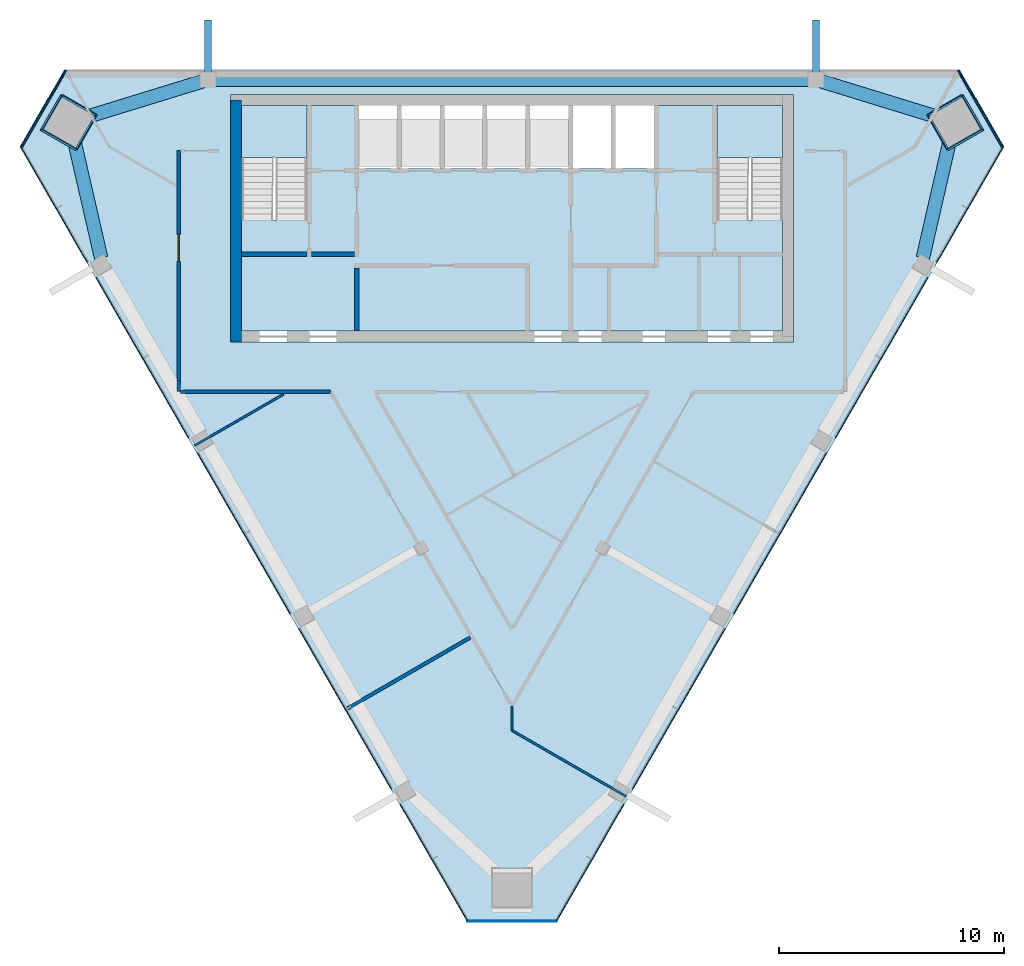
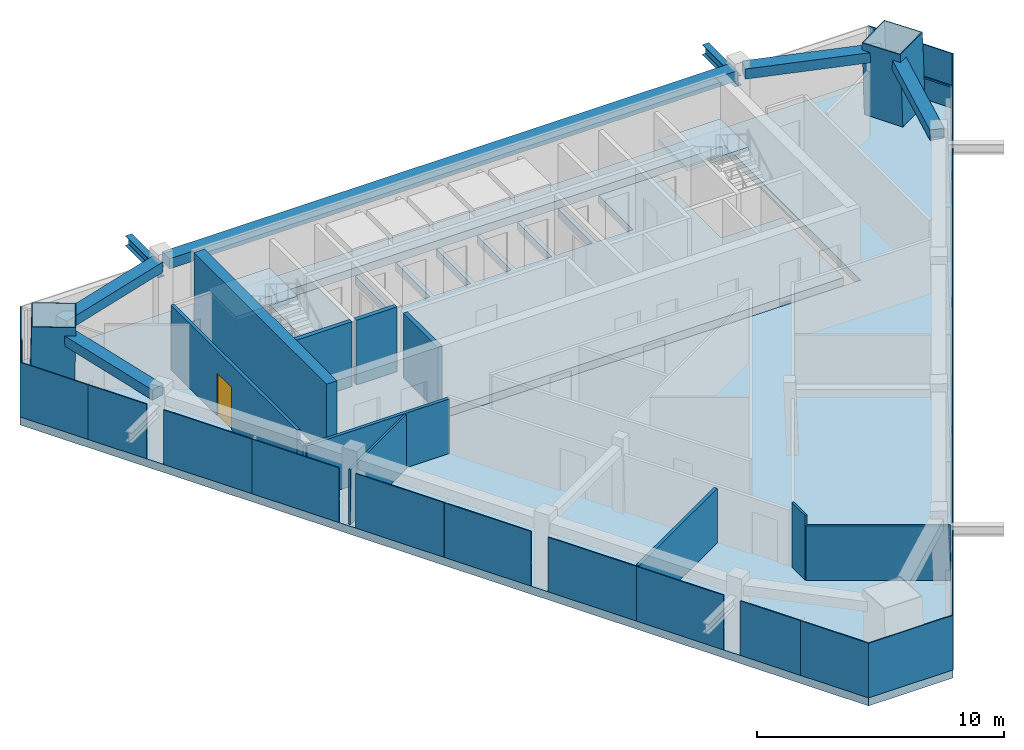
# One storey, part 5 of 9: 23 plates, 11 walls, 6 members, 5 beams, 4 slabs, 1 door, 1 opening, 7 elements without a shape of their own.
"""IFC4 building model written with IfcOpenShell, lengths in metres."""

import ifcopenshell
import ifcopenshell.guid

model = None  # the IFC model being written
_history = None  # IfcOwnerHistory: only IFC2X3 demands one
_inside = {}  # id of a spatial element -> (the spatial element, [elements in it])
_under = {}  # id of a project, library or spatial element -> (it, [spatial elements below it])
_declared = {}  # id of a project -> (the project, [libraries it declares])
_typed = {}  # id of a type object -> (the type object, [elements of that type])
_made_of = {}  # id of a material, layer set ... -> (it, [elements and type objects made of it])


def new_model(schema):
    """Start an empty IFC model of exactly this schema.

    Asked for "IFC4X3", IfcOpenShell would pick the latest addendum, in which some entities
    have other attributes; the version numbers below select the first issue.
    IFC2X3 requires an IfcOwnerHistory on every rooted entity: one is made here for all.
    """
    global model, _history
    if schema == "IFC4X3":
        model = ifcopenshell.file(schema_version=(4, 3, 0, 0))
    else:
        model = ifcopenshell.file(schema=schema)
    _inside.clear()
    _under.clear()
    _declared.clear()
    _typed.clear()
    _made_of.clear()
    _history = None
    if model.schema == "IFC2X3":
        org = make("IfcOrganization", Name="unknown")
        user = make(
            "IfcPersonAndOrganization",
            ThePerson=make("IfcPerson", FamilyName="unknown"),
            TheOrganization=org,
        )
        app = make(
            "IfcApplication",
            ApplicationDeveloper=org,
            Version="unknown",
            ApplicationFullName="unknown",
            ApplicationIdentifier="unknown",
        )
        _history = make(
            "IfcOwnerHistory",
            OwningUser=user,
            OwningApplication=app,
            ChangeAction="ADDED",
            CreationDate=0,
        )
    return model


def make(cls, **values):
    """One entity of the class cls with the attributes given. An attribute that is None is left unset."""
    return model.create_entity(
        cls, **{name: value for name, value in values.items() if value is not None}
    )


def rooted(cls, **values):
    """An entity with a GlobalId (a new one), such as an element, a storey or a relation."""
    return make(cls, GlobalId=ifcopenshell.guid.new(), OwnerHistory=_history, **values)


def si_unit(unit_type, name, prefix=None):
    """IfcSIUnit, for example si_unit("LENGTHUNIT", "METRE", prefix="MILLI")."""
    return make("IfcSIUnit", UnitType=unit_type, Prefix=prefix, Name=name)


def assignment(units):
    """IfcUnitAssignment: the units of a project."""
    return None if units is None else make("IfcUnitAssignment", Units=units)


def point(xyz):
    """IfcCartesianPoint."""
    return None if xyz is None else make("IfcCartesianPoint", Coordinates=xyz)


def direction(xyz):
    """IfcDirection."""
    return None if xyz is None else make("IfcDirection", DirectionRatios=xyz)


def frame(location, z_axis=None, x_axis=None):
    """IfcAxis2Placement3D, a coordinate frame: its origin and axes. An axis left out is left unset."""
    return make(
        "IfcAxis2Placement3D",
        Location=point(location),
        Axis=direction(z_axis),
        RefDirection=direction(x_axis),
    )


def frame_2d(location, x_axis=None):
    """IfcAxis2Placement2D, a coordinate frame in the plane: its origin and x axis."""
    return make(
        "IfcAxis2Placement2D", Location=point(location), RefDirection=direction(x_axis)
    )


def origin():
    """The frame at (0, 0, 0) with its axes left unset."""
    return frame((0.0, 0.0, 0.0))


def origin_2d():
    """The frame at (0, 0) in the plane with its x axis left unset."""
    return frame_2d((0.0, 0.0))


def place(relative_to, where):
    """IfcLocalPlacement: puts the frame where relative to a parent placement (None: the world)."""
    return make(
        "IfcLocalPlacement", PlacementRelTo=relative_to, RelativePlacement=where
    )


def context(
    kind, dimensions, precision=None, world=None, true_north=None, identifier=None
):
    """IfcGeometricRepresentationContext, for example the 3D "Model" context."""
    return make(
        "IfcGeometricRepresentationContext",
        ContextIdentifier=identifier,
        ContextType=kind,
        CoordinateSpaceDimension=dimensions,
        Precision=precision,
        WorldCoordinateSystem=world,
        TrueNorth=true_north,
    )


def subcontext(parent, identifier, kind, view, scale=None):
    """IfcGeometricRepresentationSubContext, for example "Body" below "Model"."""
    return make(
        "IfcGeometricRepresentationSubContext",
        ContextIdentifier=identifier,
        ContextType=kind,
        ParentContext=parent,
        TargetScale=scale,
        TargetView=view,
    )


def project(units=None, contexts=None):
    """IfcProject with its units and contexts."""
    return rooted(
        "IfcProject",
        Name="project",
        RepresentationContexts=contexts,
        UnitsInContext=assignment(units),
    )


def spatial(cls, under=None, at=None, **own):
    """A site, building, storey or space (cls), placed at a placement, below another one or the project."""
    s = rooted(cls, ObjectPlacement=at, **own)
    if under is not None:
        _under.setdefault(under.id(), (under, []))[1].append(s)
    return s


def polyline(points):
    """IfcPolyline through the points."""
    return make("IfcPolyline", Points=[point(p) for p in points])


def profile(cls, at=None, kind="AREA", **sizes):
    """A parametric profile (cls). Its sizes go by their IFC names, for example OverallWidth=200.0."""
    return make(cls, ProfileType=kind, Position=at, **sizes)


def rectangle(**sizes):
    """IfcRectangleProfileDef."""
    return profile("IfcRectangleProfileDef", **sizes)


def hollow_rectangle(**sizes):
    """IfcRectangleHollowProfileDef."""
    return profile("IfcRectangleHollowProfileDef", **sizes)


def i_section(**sizes):
    """IfcIShapeProfileDef."""
    return profile("IfcIShapeProfileDef", **sizes)


def outline(outer, holes=None, kind="AREA"):
    """IfcArbitraryClosedProfileDef: a profile drawn as a closed curve; with holes, ...WithVoids."""
    if holes is None:
        return make("IfcArbitraryClosedProfileDef", ProfileType=kind, OuterCurve=outer)
    return make(
        "IfcArbitraryProfileDefWithVoids",
        ProfileType=kind,
        OuterCurve=outer,
        InnerCurves=holes,
    )


def extrude(swept, where, along, depth):
    """IfcExtrudedAreaSolid: the profile swept, set in the frame where, extruded along a direction by depth."""
    return make(
        "IfcExtrudedAreaSolid",
        SweptArea=swept,
        Position=where,
        ExtrudedDirection=direction(along),
        Depth=depth,
    )


def shape(context_of_items, identifier, shape_type, items):
    """IfcShapeRepresentation: the items that make up one representation, for example the "Body"."""
    return make(
        "IfcShapeRepresentation",
        ContextOfItems=context_of_items,
        RepresentationIdentifier=identifier,
        RepresentationType=shape_type,
        Items=items,
    )


def material(Name=None, Category=None):
    """IfcMaterial."""
    return make("IfcMaterial", Name=Name, Category=Category)


def layer(
    of_material, thickness, ventilated=None, Name=None, Category=None, Priority=None
):
    """IfcMaterialLayer: one layer of a wall or slab, of a material (None: an air gap)."""
    return make(
        "IfcMaterialLayer",
        Material=of_material,
        LayerThickness=thickness,
        IsVentilated=ventilated,
        Name=Name,
        Category=Category,
        Priority=Priority,
    )


def layer_set(layers, Name=None):
    """IfcMaterialLayerSet."""
    return make("IfcMaterialLayerSet", MaterialLayers=layers, LayerSetName=Name)


def material_profile(
    of_material, cross_section, Name=None, Category=None, Priority=None
):
    """IfcMaterialProfile: a cross section and its material."""
    return make(
        "IfcMaterialProfile",
        Name=Name,
        Material=of_material,
        Profile=cross_section,
        Priority=Priority,
        Category=Category,
    )


def profile_set(profiles, Name=None, composite=None):
    """IfcMaterialProfileSet."""
    return make(
        "IfcMaterialProfileSet",
        Name=Name,
        MaterialProfiles=profiles,
        CompositeProfile=composite,
    )


def made_of(thing, what):
    """Note that an element or type object is made of a material, layer set ...; save() writes the relation."""
    if what is not None:
        _made_of.setdefault(what.id(), (what, []))[1].append(thing)
    return thing


def type_object(cls, material=None, **own):
    """A type object (cls), such as IfcWallType, which elements share."""
    return made_of(rooted(cls, **own), material)


def element(
    cls,
    number,
    at=None,
    inside=None,
    cuts=None,
    type_object=None,
    material=None,
    context=None,
    identifier="Body",
    shape_type=None,
    held_by="IfcProductDefinitionShape",
    body=None,
    shapes=None,
    **own,
):
    """One element of the class cls, such as IfcWall. Its Tag is "e" and its number.

    at: its placement. inside: the storey or other place that contains it. cuts: it is an
    opening in that element (IfcRelVoidsElement). A single representation is given by context,
    identifier, shape_type and body (its items); several are given by shapes. held_by: the class
    of the entity that holds the representations. save() writes the other relations.
    """
    e = rooted(cls, Tag="e%d" % number, ObjectPlacement=at, **own)
    if body is not None:
        shapes = [shape(context, identifier, shape_type, body)]
    if shapes is not None:
        e.Representation = make(held_by, Representations=shapes)
    if inside is not None:
        _inside.setdefault(inside.id(), (inside, []))[1].append(e)
    if cuts is not None:
        rooted(
            "IfcRelVoidsElement", RelatingBuildingElement=cuts, RelatedOpeningElement=e
        )
    if type_object is not None:
        _typed.setdefault(type_object.id(), (type_object, []))[1].append(e)
    return made_of(e, material)


def fill(opening, filler):
    """IfcRelFillsElement: the door or window that sits in an opening."""
    return rooted(
        "IfcRelFillsElement",
        RelatingOpeningElement=opening,
        RelatedBuildingElement=filler,
    )


def aggregate(whole, parts):
    """IfcRelAggregates: a whole, such as a stair, and the parts it consists of."""
    return rooted("IfcRelAggregates", RelatingObject=whole, RelatedObjects=parts)


def save(model, path):
    """Write the relations noted so far, then the file.

    IfcRelAggregates (storeys below a building ...), IfcRelContainedInSpatialStructure (elements
    in a storey), IfcRelDefinesByType, IfcRelAssociatesMaterial and IfcRelDeclares: one each for
    every whole, place, type object, material and project.
    """
    for whole, parts in _under.values():
        aggregate(whole, parts)
    for where, things in _inside.values():
        rooted(
            "IfcRelContainedInSpatialStructure",
            RelatedElements=things,
            RelatingStructure=where,
        )
    for kind, things in _typed.values():
        rooted("IfcRelDefinesByType", RelatedObjects=things, RelatingType=kind)
    for what, things in _made_of.values():
        rooted("IfcRelAssociatesMaterial", RelatedObjects=things, RelatingMaterial=what)
    for by, libraries in _declared.values():
        rooted("IfcRelDeclares", RelatingContext=by, RelatedDefinitions=libraries)
    model.write(path)


model = new_model("IFC4")

# Units and contexts
model_context = context("Model", 3, precision=1e-05, world=origin(), true_north=direction((0.0, 1.0)))
body_context = subcontext(model_context, "Body", "Model", "MODEL_VIEW")
ifc_project = project(units=[si_unit("LENGTHUNIT", "METRE"), si_unit("AREAUNIT", "SQUARE_METRE"), si_unit("VOLUMEUNIT", "CUBIC_METRE"), si_unit("PLANEANGLEUNIT", "RADIAN"), si_unit("MASSUNIT", "GRAM", prefix="KILO")], contexts=[model_context])

# Site, building, storey
site_placement = place(None, origin())
site = spatial("IfcSite", under=ifc_project, at=site_placement, CompositionType="ELEMENT")
building_placement = place(site_placement, origin())
building = spatial("IfcBuilding", under=site, at=building_placement, Name="Altiplano Prism Tower", CompositionType="ELEMENT")
storey_placement = place(building_placement, frame((0.0, 0.0, 309.39990234375)))
storey = spatial("IfcBuildingStorey", under=building, at=storey_placement, Name="L80", CompositionType="ELEMENT", Elevation=309.39990234375)

# Members
ifc_material_1 = material(Name="Steel S355", Category="steel")
ifc_material_profile_1 = material_profile(ifc_material_1, i_section(OverallWidth=0.300048828125, OverallDepth=0.5, WebThickness=0.014404296875, FlangeThickness=0.028076171875, FilletRadius=0.027099609375, at=origin_2d()), Name="Brace bracket HEB 500")
ifc_profile_set_1 = profile_set([ifc_material_profile_1], Name="Steel S355")
member_type_1 = type_object("IfcMemberType", Name="Brace bracket HEB 500", PredefinedType="STRUT", material=ifc_profile_set_1)
for number, where, z_axis, x_axis, name in (
    (1, (98.5, 104.550048828125, 2.435302734375), (0.0, 1.0, 0.0), (-1.0, 0.0, 0.0), "Brace bracket 0.313"),
    (2, (71.5, 104.550048828125, 2.435302734375), (0.0, 1.0, 0.0), (-1.0, 0.0, 0.0), "Brace bracket 0.313"),
):
    element("IfcMember", number, at=place(storey_placement, frame(where, z_axis=z_axis, x_axis=x_axis)), inside=storey, type_object=member_type_1, Name=name, PredefinedType="STRUT", context=body_context, shape_type="SweptSolid", body=[
        extrude(i_section(OverallWidth=0.300048828125, OverallDepth=0.5, WebThickness=0.014404296875, FlangeThickness=0.028076171875, FilletRadius=0.027099609375, at=origin_2d()), origin(), (0.0, 0.0, 1.0), 2.64990234375),
    ])

# Curtain wall, member
ifc_material_2 = material(Name="Aluminium and glass", Category="aluminium")
ifc_layer_1 = layer(ifc_material_2, 0.303955078125)
ifc_layer_set_1 = layer_set([ifc_layer_1], Name="Aluminium and glass")
curtain_wall_type = type_object("IfcCurtainWallType", Name="CW2 lounge-band unitised glazing", PredefinedType="NOTDEFINED", material=ifc_layer_set_1)
curtain_wall_1_placement = place(storey_placement, origin())
curtain_wall_1 = element("IfcCurtainWall", 3, at=curtain_wall_1_placement, inside=storey, type_object=curtain_wall_type, Name="CW2 curtain wall north-west chamfer L80", PredefinedType="NOTDEFINED")
ifc_material_3 = material(Name="Aluminium", Category="aluminium")
ifc_material_profile_2 = material_profile(ifc_material_3, rectangle(XDim=0.06005859375, YDim=0.080078125, at=origin_2d()), Name="CW2 transom 80 x 60")
ifc_profile_set_2 = profile_set([ifc_material_profile_2], Name="Aluminium")
member_type_2 = type_object("IfcMemberType", Name="CW2 transom 80 x 60", PredefinedType="USERDEFINED", material=ifc_profile_set_2)
member_1_placement = place(storey_placement, frame((65.20263671875, 104.962890625, 1.10009765625), z_axis=(-0.499996271135, -0.866027556635, 0.0), x_axis=(0.866027556635, -0.499996271135, 0.0)))
member_1 = element("IfcMember", 4, at=member_1_placement, type_object=member_type_2, Name="CW2 transom", ObjectType="TRANSOM", PredefinedType="USERDEFINED", context=body_context, shape_type="SweptSolid", body=[
    extrude(rectangle(XDim=0.06005859375, YDim=0.080078125, at=origin_2d()), origin(), (0.0, 0.0, 1.0), 3.9619140625),
])

curtain_wall_2_placement = place(storey_placement, origin())
curtain_wall_2 = element("IfcCurtainWall", 5, at=curtain_wall_2_placement, inside=storey, type_object=curtain_wall_type, Name="CW2 curtain wall north-east chamfer L80", PredefinedType="NOTDEFINED")
member_2_placement = place(storey_placement, frame((106.7783203125, 101.53173828125, 1.10009765625), z_axis=(-0.499996271135, 0.866027556635, 0.0), x_axis=(-0.866027556635, -0.499996271135, 0.0)))
member_2 = element("IfcMember", 6, at=member_2_placement, type_object=member_type_2, Name="CW2 transom", ObjectType="TRANSOM", PredefinedType="USERDEFINED", context=body_context, shape_type="SweptSolid", body=[
    extrude(rectangle(XDim=0.06005859375, YDim=0.080078125, at=origin_2d()), origin(), (0.0, 0.0, 1.0), 3.9619140625),
])

# Beams
ifc_material_4 = material(Name="Concrete C60/75", Category="concrete")
ifc_material_profile_3 = material_profile(ifc_material_4, rectangle(XDim=0.60009765625, YDim=0.5, at=origin_2d()), Name="Edge beam 600x500")
ifc_profile_set_3 = profile_set([ifc_material_profile_3], Name="Concrete C60/75")
beam_type = type_object("IfcBeamType", Name="Edge beam 600x500", PredefinedType="SPANDREL", material=ifc_profile_set_3)
beam_1_placement = place(storey_placement, frame((103.2412109375, 96.637451171875, 2.9501953125), z_axis=(0.223513462184, 0.974700842424, 0.0), x_axis=(-0.974700842424, 0.223513462184, 0.0)))
element("IfcBeam", 7, at=beam_1_placement, inside=storey, type_object=beam_type, Name="Edge beam P24-M2 L81", PredefinedType="SPANDREL", context=body_context, shape_type="SweptSolid", body=[
    extrude(rectangle(XDim=0.60009765625, YDim=0.5, at=origin_2d()), origin(), (0.0, 0.0, 1.0), 5.736572265625),
])
beam_2_placement = place(storey_placement, frame((104.19384765625, 102.7998046875, 2.9501953125), z_axis=(-0.955863622238, 0.293810714035, 0.0), x_axis=(-0.293810714035, -0.955863622238, 0.0)))
element("IfcBeam", 8, at=beam_2_placement, inside=storey, type_object=beam_type, Name="Edge beam M2-P01 L81", PredefinedType="SPANDREL", context=body_context, shape_type="SweptSolid", body=[
    extrude(rectangle(XDim=0.60009765625, YDim=0.5, at=origin_2d()), origin(), (0.0, 0.0, 1.0), 5.73681640625),
])
beam_3_placement = place(storey_placement, frame((98.294921875, 104.550048828125, 2.9501953125), z_axis=(-1.0, 0.0, 0.0), x_axis=(0.0, -1.0, 0.0)))
element("IfcBeam", 9, at=beam_3_placement, inside=storey, type_object=beam_type, Name="Edge beam P01-P04 L81", PredefinedType="SPANDREL", context=body_context, shape_type="SweptSolid", body=[
    extrude(rectangle(XDim=0.60009765625, YDim=0.5, at=origin_2d()), origin(), (0.0, 0.0, 1.0), 26.58984375),
])
beam_4_placement = place(storey_placement, frame((71.289794921875, 104.4853515625, 2.9501953125), z_axis=(-0.955863622238, -0.293810714035, 0.0), x_axis=(0.293810714035, -0.955863622238, 0.0)))
element("IfcBeam", 10, at=beam_4_placement, inside=storey, type_object=beam_type, Name="Edge beam P04-M0 L81", PredefinedType="SPANDREL", context=body_context, shape_type="SweptSolid", body=[
    extrude(rectangle(XDim=0.60009765625, YDim=0.5, at=origin_2d()), origin(), (0.0, 0.0, 1.0), 5.73681640625),
])
beam_5_placement = place(storey_placement, frame((65.4765625, 102.22900390625, 2.9501953125), z_axis=(0.223513462184, -0.974700842424, 0.0), x_axis=(0.974700842424, 0.223513462184, 0.0)))
element("IfcBeam", 11, at=beam_5_placement, inside=storey, type_object=beam_type, Name="Edge beam M0-P11 L81", PredefinedType="SPANDREL", context=body_context, shape_type="SweptSolid", body=[
    extrude(rectangle(XDim=0.60009765625, YDim=0.5, at=origin_2d()), origin(), (0.0, 0.0, 1.0), 5.736572265625),
])

# Members
ifc_material_5 = material(Name="Steel S460", Category="steel")
ifc_material_profile_4 = material_profile(ifc_material_5, hollow_rectangle(XDim=1.800048828125, YDim=1.800048828125, WallThickness=0.0400390625, at=origin_2d()), Name="Mega column tube 1800")
ifc_profile_set_4 = profile_set([ifc_material_profile_4], Name="Steel S460")
member_type_3 = type_object("IfcMemberType", Name="Mega column tube 1800", PredefinedType="POST", material=ifc_profile_set_4)
for number, where, z_axis, x_axis, name in (
    (12, (65.27392578125, 102.63427734375, 0.0), (0.028334066552, 0.009286524205, 0.999555371723), (-0.866555694563, 0.498682251632, 0.019930883755), "Mega column tube M0 L80"),
    (13, (104.72607421875, 102.63427734375, 0.0), (-0.028334066552, 0.009286524205, 0.999555371723), (0.498275434767, -0.866735122385, 0.022176986539), "Mega column tube M2 L80"),
):
    element("IfcMember", number, at=place(storey_placement, frame(where, z_axis=z_axis, x_axis=x_axis)), inside=storey, type_object=member_type_3, Name=name, PredefinedType="POST", context=body_context, shape_type="SweptSolid", body=[
        extrude(hollow_rectangle(XDim=1.800048828125, YDim=1.800048828125, WallThickness=0.0400390625, at=origin_2d()), origin(), (0.0, 0.0, 1.0), 3.601806640625),
    ])

# Plate
ifc_material_6 = material(Name="Clear glass", Category="glass")
ifc_layer_2 = layer(ifc_material_6, 0.0439453125)
ifc_layer_set_2 = layer_set([ifc_layer_2], Name="Clear glass")
plate_type = type_object("IfcPlateType", Name="CW2 insulated glass unit 44", PredefinedType="CURTAIN_PANEL", material=ifc_layer_set_2)
plate_1_placement = place(storey_placement, frame((64.1669921875, 103.2734375, 0.0), z_axis=(0.0, 0.0, 1.0), x_axis=(-0.499999974758, -0.866025418358, 0.0)))
plate_1 = element("IfcPlate", 14, at=plate_1_placement, type_object=plate_type, Name="CW2 panel", PredefinedType="CURTAIN_PANEL", context=body_context, shape_type="SweptSolid", body=[
    extrude(rectangle(XDim=3.9521484375, YDim=0.0439453125, at=origin_2d()), origin(), (0.0, 0.0, 1.0), 2.699951171875),
])

aggregate(curtain_wall_1, [member_1, plate_1])

# Curtain wall, plates
curtain_wall_3_placement = place(storey_placement, origin())
curtain_wall_3 = element("IfcCurtainWall", 15, at=curtain_wall_3_placement, inside=storey, type_object=curtain_wall_type, Name="CW2 curtain wall south-west face L80", PredefinedType="NOTDEFINED")
plate_2_placement = place(storey_placement, frame((63.9716796875, 100.202392578125, 0.0), z_axis=(0.0, 0.0, 1.0), x_axis=(0.500000001874, -0.866025402702, 0.0)))
plate_2 = element("IfcPlate", 16, at=plate_2_placement, type_object=plate_type, Name="CW2 panel", PredefinedType="CURTAIN_PANEL", context=body_context, shape_type="SweptSolid", body=[
    extrude(rectangle(XDim=3.170654296875, YDim=0.0439453125, at=origin_2d()), origin(), (0.0, 0.0, 1.0), 2.699951171875),
])
plate_3_placement = place(storey_placement, frame((65.45458984375, 97.6337890625, 0.0), z_axis=(0.0, 0.0, 1.0), x_axis=(0.500000001874, -0.866025402702, 0.0)))
plate_3 = element("IfcPlate", 17, at=plate_3_placement, type_object=plate_type, Name="CW2 panel", PredefinedType="CURTAIN_PANEL", context=body_context, shape_type="SweptSolid", body=[
    extrude(rectangle(XDim=2.7412109375, YDim=0.0439453125, at=origin_2d()), origin(), (0.0, 0.0, 1.0), 2.699951171875),
])
plate_4_placement = place(storey_placement, frame((67.56982421875, 93.97021484375, 0.0), z_axis=(0.0, 0.0, 1.0), x_axis=(0.500000001874, -0.866025402702, 0.0)))
plate_4 = element("IfcPlate", 18, at=plate_4_placement, type_object=plate_type, Name="CW2 panel", PredefinedType="CURTAIN_PANEL", context=body_context, shape_type="SweptSolid", body=[
    extrude(rectangle(XDim=4.139404296875, YDim=0.0439453125, at=origin_2d()), origin(), (0.0, 0.0, 1.0), 2.699951171875),
])
plate_5_placement = place(storey_placement, frame((69.624755859375, 90.410888671875, 0.0), z_axis=(0.0, 0.0, 1.0), x_axis=(0.500000001874, -0.866025402702, 0.0)))
plate_5 = element("IfcPlate", 19, at=plate_5_placement, type_object=plate_type, Name="CW2 panel", PredefinedType="CURTAIN_PANEL", context=body_context, shape_type="SweptSolid", body=[
    extrude(rectangle(XDim=4.060302734375, YDim=0.0439453125, at=origin_2d()), origin(), (0.0, 0.0, 1.0), 2.699951171875),
])
plate_6_placement = place(storey_placement, frame((72.06982421875, 86.176025390625, 0.0), z_axis=(0.0, 0.0, 1.0), x_axis=(0.500000001874, -0.866025402702, 0.0)))
plate_6 = element("IfcPlate", 20, at=plate_6_placement, type_object=plate_type, Name="CW2 panel", PredefinedType="CURTAIN_PANEL", context=body_context, shape_type="SweptSolid", body=[
    extrude(rectangle(XDim=4.139404296875, YDim=0.0439453125, at=origin_2d()), origin(), (0.0, 0.0, 1.0), 2.699951171875),
])
plate_7_placement = place(storey_placement, frame((74.124755859375, 82.61669921875, 0.0), z_axis=(0.0, 0.0, 1.0), x_axis=(0.500000001874, -0.866025402702, 0.0)))
plate_7 = element("IfcPlate", 21, at=plate_7_placement, type_object=plate_type, Name="CW2 panel", PredefinedType="CURTAIN_PANEL", context=body_context, shape_type="SweptSolid", body=[
    extrude(rectangle(XDim=4.060302734375, YDim=0.0439453125, at=origin_2d()), origin(), (0.0, 0.0, 1.0), 2.699951171875),
])
plate_8_placement = place(storey_placement, frame((76.56982421875, 78.3818359375, 0.0), z_axis=(0.0, 0.0, 1.0), x_axis=(0.500000001874, -0.866025402702, 0.0)))
plate_8 = element("IfcPlate", 22, at=plate_8_placement, type_object=plate_type, Name="CW2 panel", PredefinedType="CURTAIN_PANEL", context=body_context, shape_type="SweptSolid", body=[
    extrude(rectangle(XDim=4.139404296875, YDim=0.0439453125, at=origin_2d()), origin(), (0.0, 0.0, 1.0), 2.699951171875),
])
plate_9_placement = place(storey_placement, frame((78.624755859375, 74.822509765625, 0.0), z_axis=(0.0, 0.0, 1.0), x_axis=(0.500000001874, -0.866025402702, 0.0)))
plate_9 = element("IfcPlate", 23, at=plate_9_placement, type_object=plate_type, Name="CW2 panel", PredefinedType="CURTAIN_PANEL", context=body_context, shape_type="SweptSolid", body=[
    extrude(rectangle(XDim=4.060302734375, YDim=0.0439453125, at=origin_2d()), origin(), (0.0, 0.0, 1.0), 2.699951171875),
])
plate_10_placement = place(storey_placement, frame((80.739990234375, 71.15869140625, 0.0), z_axis=(0.0, 0.0, 1.0), x_axis=(0.500000001874, -0.866025402702, 0.0)))
plate_10 = element("IfcPlate", 24, at=plate_10_placement, type_object=plate_type, Name="CW2 panel", PredefinedType="CURTAIN_PANEL", context=body_context, shape_type="SweptSolid", body=[
    extrude(rectangle(XDim=2.8203125, YDim=0.0439453125, at=origin_2d()), origin(), (0.0, 0.0, 1.0), 2.699951171875),
])
plate_11_placement = place(storey_placement, frame((82.242919921875, 68.555908203125, 0.0), z_axis=(0.0, 0.0, 1.0), x_axis=(0.500000001874, -0.866025402702, 0.0)))
plate_11 = element("IfcPlate", 25, at=plate_11_placement, type_object=plate_type, Name="CW2 panel", PredefinedType="CURTAIN_PANEL", context=body_context, shape_type="SweptSolid", body=[
    extrude(rectangle(XDim=3.170654296875, YDim=0.0439453125, at=origin_2d()), origin(), (0.0, 0.0, 1.0), 2.699951171875),
])
aggregate(curtain_wall_3, [plate_2, plate_3, plate_4, plate_5, plate_6, plate_7, plate_8, plate_9, plate_10, plate_11])

# Curtain wall, plate
curtain_wall_4_placement = place(storey_placement, origin())
curtain_wall_4 = element("IfcCurtainWall", 26, at=curtain_wall_4_placement, inside=storey, type_object=curtain_wall_type, Name="CW2 curtain wall south chamfer L80", PredefinedType="NOTDEFINED")
plate_12_placement = place(storey_placement, frame((85.0, 67.189697265625, 0.0), z_axis=(0.0, 0.0, 1.0), x_axis=(1.0, 0.0, 0.0)))
plate_12 = element("IfcPlate", 27, at=plate_12_placement, type_object=plate_type, Name="CW2 panel", PredefinedType="CURTAIN_PANEL", context=body_context, shape_type="SweptSolid", body=[
    extrude(rectangle(XDim=3.9521484375, YDim=0.0439453125, at=origin_2d()), origin(), (0.0, 0.0, 1.0), 2.699951171875),
])
aggregate(curtain_wall_4, [plate_12])

# Curtain wall, plates
curtain_wall_5_placement = place(storey_placement, origin())
curtain_wall_5 = element("IfcCurtainWall", 28, at=curtain_wall_5_placement, inside=storey, type_object=curtain_wall_type, Name="CW2 curtain wall south-east face L80", PredefinedType="NOTDEFINED")
plate_13_placement = place(storey_placement, frame((87.757080078125, 68.555908203125, 0.0), z_axis=(0.0, 0.0, 1.0), x_axis=(0.500000001874, 0.866025402702, 0.0)))
plate_13 = element("IfcPlate", 29, at=plate_13_placement, type_object=plate_type, Name="CW2 panel", PredefinedType="CURTAIN_PANEL", context=body_context, shape_type="SweptSolid", body=[
    extrude(rectangle(XDim=3.170654296875, YDim=0.0439453125, at=origin_2d()), origin(), (0.0, 0.0, 1.0), 2.699951171875),
])
plate_14_placement = place(storey_placement, frame((89.260009765625, 71.15869140625, 0.0), z_axis=(0.0, 0.0, 1.0), x_axis=(0.500000001874, 0.866025402702, 0.0)))
plate_14 = element("IfcPlate", 30, at=plate_14_placement, type_object=plate_type, Name="CW2 panel", PredefinedType="CURTAIN_PANEL", context=body_context, shape_type="SweptSolid", body=[
    extrude(rectangle(XDim=2.8203125, YDim=0.0439453125, at=origin_2d()), origin(), (0.0, 0.0, 1.0), 2.699951171875),
])
plate_15_placement = place(storey_placement, frame((91.375244140625, 74.822509765625, 0.0), z_axis=(0.0, 0.0, 1.0), x_axis=(0.500000001874, 0.866025402702, 0.0)))
plate_15 = element("IfcPlate", 31, at=plate_15_placement, type_object=plate_type, Name="CW2 panel", PredefinedType="CURTAIN_PANEL", context=body_context, shape_type="SweptSolid", body=[
    extrude(rectangle(XDim=4.060302734375, YDim=0.0439453125, at=origin_2d()), origin(), (0.0, 0.0, 1.0), 2.699951171875),
])
plate_16_placement = place(storey_placement, frame((93.43017578125, 78.3818359375, 0.0), z_axis=(0.0, 0.0, 1.0), x_axis=(0.500000001874, 0.866025402702, 0.0)))
plate_16 = element("IfcPlate", 32, at=plate_16_placement, type_object=plate_type, Name="CW2 panel", PredefinedType="CURTAIN_PANEL", context=body_context, shape_type="SweptSolid", body=[
    extrude(rectangle(XDim=4.139404296875, YDim=0.0439453125, at=origin_2d()), origin(), (0.0, 0.0, 1.0), 2.699951171875),
])
plate_17_placement = place(storey_placement, frame((95.875244140625, 82.61669921875, 0.0), z_axis=(0.0, 0.0, 1.0), x_axis=(0.500000001874, 0.866025402702, 0.0)))
plate_17 = element("IfcPlate", 33, at=plate_17_placement, type_object=plate_type, Name="CW2 panel", PredefinedType="CURTAIN_PANEL", context=body_context, shape_type="SweptSolid", body=[
    extrude(rectangle(XDim=4.060302734375, YDim=0.0439453125, at=origin_2d()), origin(), (0.0, 0.0, 1.0), 2.699951171875),
])
plate_18_placement = place(storey_placement, frame((97.93017578125, 86.176025390625, 0.0), z_axis=(0.0, 0.0, 1.0), x_axis=(0.500000001874, 0.866025402702, 0.0)))
plate_18 = element("IfcPlate", 34, at=plate_18_placement, type_object=plate_type, Name="CW2 panel", PredefinedType="CURTAIN_PANEL", context=body_context, shape_type="SweptSolid", body=[
    extrude(rectangle(XDim=4.139404296875, YDim=0.0439453125, at=origin_2d()), origin(), (0.0, 0.0, 1.0), 2.699951171875),
])
plate_19_placement = place(storey_placement, frame((100.375244140625, 90.410888671875, 0.0), z_axis=(0.0, 0.0, 1.0), x_axis=(0.500000001874, 0.866025402702, 0.0)))
plate_19 = element("IfcPlate", 35, at=plate_19_placement, type_object=plate_type, Name="CW2 panel", PredefinedType="CURTAIN_PANEL", context=body_context, shape_type="SweptSolid", body=[
    extrude(rectangle(XDim=4.060302734375, YDim=0.0439453125, at=origin_2d()), origin(), (0.0, 0.0, 1.0), 2.699951171875),
])
plate_20_placement = place(storey_placement, frame((102.43017578125, 93.97021484375, 0.0), z_axis=(0.0, 0.0, 1.0), x_axis=(0.500000001874, 0.866025402702, 0.0)))
plate_20 = element("IfcPlate", 36, at=plate_20_placement, type_object=plate_type, Name="CW2 panel", PredefinedType="CURTAIN_PANEL", context=body_context, shape_type="SweptSolid", body=[
    extrude(rectangle(XDim=4.139404296875, YDim=0.0439453125, at=origin_2d()), origin(), (0.0, 0.0, 1.0), 2.699951171875),
])
plate_21_placement = place(storey_placement, frame((104.54541015625, 97.6337890625, 0.0), z_axis=(0.0, 0.0, 1.0), x_axis=(0.500000001874, 0.866025402702, 0.0)))
plate_21 = element("IfcPlate", 37, at=plate_21_placement, type_object=plate_type, Name="CW2 panel", PredefinedType="CURTAIN_PANEL", context=body_context, shape_type="SweptSolid", body=[
    extrude(rectangle(XDim=2.7412109375, YDim=0.0439453125, at=origin_2d()), origin(), (0.0, 0.0, 1.0), 2.699951171875),
])
plate_22_placement = place(storey_placement, frame((106.0283203125, 100.202392578125, 0.0), z_axis=(0.0, 0.0, 1.0), x_axis=(0.500000001874, 0.866025402702, 0.0)))
plate_22 = element("IfcPlate", 38, at=plate_22_placement, type_object=plate_type, Name="CW2 panel", PredefinedType="CURTAIN_PANEL", context=body_context, shape_type="SweptSolid", body=[
    extrude(rectangle(XDim=3.170654296875, YDim=0.0439453125, at=origin_2d()), origin(), (0.0, 0.0, 1.0), 2.699951171875),
])
aggregate(curtain_wall_5, [plate_13, plate_14, plate_15, plate_16, plate_17, plate_18, plate_19, plate_20, plate_21, plate_22])

# Plate
plate_23_placement = place(storey_placement, frame((105.8330078125, 103.2734375, 0.0), z_axis=(0.0, 0.0, 1.0), x_axis=(-0.499999974758, 0.866025418358, 0.0)))
plate_23 = element("IfcPlate", 39, at=plate_23_placement, type_object=plate_type, Name="CW2 panel", PredefinedType="CURTAIN_PANEL", context=body_context, shape_type="SweptSolid", body=[
    extrude(rectangle(XDim=3.9521484375, YDim=0.0439453125, at=origin_2d()), origin(), (0.0, 0.0, 1.0), 2.699951171875),
])

aggregate(curtain_wall_2, [member_2, plate_23])

# Slabs
ifc_material_7 = material(Name="Concrete C40/50", Category="concrete")
ifc_layer_3 = layer(ifc_material_7, 0.39990234375)
ifc_layer_set_3 = layer_set([ifc_layer_3], Name="Concrete C40/50")
slab_type_1 = type_object("IfcSlabType", Name="Core floor slab 400", PredefinedType="FLOOR", material=ifc_layer_set_3)
slab_1_placement = place(storey_placement, frame((0.0, 0.0, -0.39990234375)))
element("IfcSlab", 40, at=slab_1_placement, inside=storey, type_object=slab_type_1, Name="Core floor slab L80", PredefinedType="FLOOR", context=body_context, shape_type="SweptSolid", body=[
    extrude(outline(polyline([(97.0, 98.31005859375), (94.10009765625, 98.31005859375), (94.10009765625, 103.39990234375), (91.300048828125, 103.39990234375), (91.300048828125, 100.60009765625), (89.60009765625, 100.60009765625), (89.60009765625, 103.39990234375), (89.39990234375, 103.39990234375), (89.39990234375, 100.60009765625), (87.699951171875, 100.60009765625), (87.699951171875, 103.39990234375), (87.5, 103.39990234375), (87.5, 100.60009765625), (85.800048828125, 100.60009765625), (85.800048828125, 103.39990234375), (85.60009765625, 103.39990234375), (85.60009765625, 100.60009765625), (83.89990234375, 100.60009765625), (83.89990234375, 103.39990234375), (83.699951171875, 103.39990234375), (83.699951171875, 100.60009765625), (82.0, 100.60009765625), (82.0, 103.39990234375), (81.800048828125, 103.39990234375), (81.800048828125, 100.60009765625), (80.10009765625, 100.60009765625), (80.10009765625, 103.39990234375), (79.89990234375, 103.39990234375), (79.89990234375, 100.60009765625), (78.199951171875, 100.60009765625), (78.199951171875, 103.39990234375), (75.89990234375, 103.39990234375), (75.89990234375, 98.31005859375), (73.0, 98.31005859375), (73.0, 93.39990234375), (97.0, 93.39990234375), (97.0, 98.31005859375)])), origin(), (0.0, 0.0, 1.0), 0.39990234375),
])
ifc_layer_4 = layer(ifc_material_7, 0.39990234375)
ifc_layer_set_4 = layer_set([ifc_layer_4], Name="Concrete C40/50")
slab_type_2 = type_object("IfcSlabType", Name="Post-tensioned flat slab 400", PredefinedType="FLOOR", material=ifc_layer_set_4)
slab_2_placement = place(storey_placement, frame((0.0, 0.0, -0.39990234375)))
element("IfcSlab", 41, at=slab_2_placement, inside=storey, type_object=slab_type_2, Name="Floor slab L80", PredefinedType="FLOOR", context=body_context, shape_type="SweptSolid", body=[
    extrude(outline(polyline([(106.842529296875, 101.568603515625), (86.98095703125, 67.167724609375), (83.01904296875, 67.167724609375), (63.157470703125, 101.568603515625), (65.138427734375, 105.0), (104.861572265625, 105.0), (106.842529296875, 101.568603515625)]), holes=[polyline([(97.5, 92.89990234375), (97.5, 103.89990234375), (72.5, 103.89990234375), (72.5, 92.89990234375), (97.5, 92.89990234375)])]), origin(), (0.0, 0.0, 1.0), 0.39990234375),
])

# Stair, slab
stair_type = type_object("IfcStairType", Name="Exit stair 1400", PredefinedType="HALF_TURN_STAIR", material=ifc_material_7)
stair_1_placement = place(storey_placement, origin())
stair_1 = element("IfcStair", 42, at=stair_1_placement, inside=storey, type_object=stair_type, Name="L80 Exit Stair 1", PredefinedType="HALF_TURN_STAIR")
ifc_layer_5 = layer(ifc_material_7, 0.199951171875)
ifc_layer_set_5 = layer_set([ifc_layer_5], Name="Concrete C40/50")
slab_type_3 = type_object("IfcSlabType", Name="Stair landing 200", PredefinedType="LANDING", material=ifc_layer_set_5)
slab_3_placement = place(storey_placement, frame((0.0, 0.0, 1.60009765625)))
slab_3 = element("IfcSlab", 43, at=slab_3_placement, type_object=slab_type_3, Name="ST1 landing 1", PredefinedType="LANDING", context=body_context, shape_type="SweptSolid", body=[
    extrude(outline(polyline([(75.89990234375, 101.096923828125), (75.89990234375, 103.39990234375), (73.0, 103.39990234375), (73.0, 101.096923828125), (75.89990234375, 101.096923828125)])), origin(), (0.0, 0.0, 1.0), 0.199951171875),
])
aggregate(stair_1, [slab_3])

stair_2_placement = place(storey_placement, origin())
stair_2 = element("IfcStair", 44, at=stair_2_placement, inside=storey, type_object=stair_type, Name="L80 Exit Stair 2", PredefinedType="HALF_TURN_STAIR")
slab_4_placement = place(storey_placement, frame((0.0, 0.0, 1.60009765625)))
slab_4 = element("IfcSlab", 45, at=slab_4_placement, type_object=slab_type_3, Name="ST2 landing 1", PredefinedType="LANDING", context=body_context, shape_type="SweptSolid", body=[
    extrude(outline(polyline([(97.0, 101.096923828125), (97.0, 103.39990234375), (94.10009765625, 103.39990234375), (94.10009765625, 101.096923828125), (97.0, 101.096923828125)])), origin(), (0.0, 0.0, 1.0), 0.199951171875),
])
aggregate(stair_2, [slab_4])

# Walls
ifc_layer_6 = layer(ifc_material_4, 0.5)
ifc_layer_set_6 = layer_set([ifc_layer_6], Name="Concrete C60/75")
wall_type_1 = type_object("IfcWallType", Name="Core wall 500", PredefinedType="SHEAR", material=ifc_layer_set_6)
wall_1_placement = place(storey_placement, frame((72.75, 103.64990234375, 0.0), z_axis=(0.0, 0.0, 1.0), x_axis=(0.0, -1.0, 0.0)))
element("IfcWall", 46, at=wall_1_placement, inside=storey, type_object=wall_type_1, Name="Core wall W L80", PredefinedType="SHEAR", context=body_context, shape_type="SweptSolid", body=[
    extrude(rectangle(XDim=10.75, YDim=0.5, at=frame_2d((5.375, 0.0))), origin(), (0.0, 0.0, 1.0), 3.60009765625),
])
ifc_material_8 = material(Name="Plasterboard on steel stud", Category="steel")
ifc_layer_7 = layer(ifc_material_8, 0.10009765625)
ifc_layer_set_7 = layer_set([ifc_layer_7], Name="Plasterboard on steel stud")
wall_type_2 = type_object("IfcWallType", Name="Partition 100 wet", PredefinedType="PARTITIONING", material=ifc_layer_set_7)
wall_2_placement = place(storey_placement, frame((70.9248046875, 88.315185546875, 0.0), z_axis=(0.0, 0.0, 1.0), x_axis=(0.866007095043, 0.500031710329, 0.0)))
element("IfcWall", 47, at=wall_2_placement, inside=storey, type_object=wall_type_2, Name="Partition P03 L80 016", PredefinedType="PARTITIONING", context=body_context, shape_type="SweptSolid", body=[
    extrude(rectangle(XDim=4.532958984375, YDim=0.10009765625, at=frame_2d((2.2666015625, 0.0))), origin(), (0.0, 0.0, 1.0), 2.7001953125),
])
wall_3_placement = place(storey_placement, frame((90.0751953125, 72.726806640625, 0.0), z_axis=(0.0, 0.0, 1.0), x_axis=(-0.866024635238, 0.500001331159, 0.0)))
element("IfcWall", 48, at=wall_3_placement, inside=storey, type_object=wall_type_2, Name="Partition P03 L80 020", PredefinedType="PARTITIONING", context=body_context, shape_type="SweptSolid", body=[
    extrude(rectangle(XDim=5.8603515625, YDim=0.10009765625, at=frame_2d((2.93017578125, 0.0))), origin(), (0.0, 0.0, 1.0), 2.7001953125),
])
wall_4_placement = place(storey_placement, frame((85.0, 75.656982421875, 0.0), z_axis=(0.0, 0.0, 1.0), x_axis=(0.0, 1.0, 0.0)))
element("IfcWall", 49, at=wall_4_placement, inside=storey, type_object=wall_type_2, Name="Partition P03 L80 021", PredefinedType="PARTITIONING", context=body_context, shape_type="SweptSolid", body=[
    extrude(rectangle(XDim=1.079345703125, YDim=0.10009765625, at=frame_2d((0.53955078125, 0.0))), origin(), (0.0, 0.0, 1.0), 3.2001953125),
])

# Wall, opening, door
ifc_layer_8 = layer(ifc_material_8, 0.14990234375)
ifc_layer_set_8 = layer_set([ifc_layer_8], Name="Plasterboard on steel stud")
wall_type_3 = type_object("IfcWallType", Name="Partition 150 corridor", PredefinedType="PARTITIONING", material=ifc_layer_set_8)
wall_5_placement = place(storey_placement, frame((70.199462890625, 101.40087890625, 0.0), z_axis=(0.0, 0.0, 1.0), x_axis=(4.7810289e-05, -0.999999998857, 0.0)))
wall_5 = element("IfcWall", 50, at=wall_5_placement, inside=storey, type_object=wall_type_3, Name="Partition P06 L80 002", PredefinedType="PARTITIONING", context=body_context, shape_type="SweptSolid", body=[
    extrude(rectangle(XDim=10.212890625, YDim=0.14990234375, at=frame_2d((5.1064453125, 0.0))), origin(), (0.0, 0.0, 1.0), 3.2001953125),
])
opening_placement = place(wall_5_placement, frame((3.719970703125, 0.0, 0.0)))
opening = element("IfcOpeningElement", 51, at=opening_placement, cuts=wall_5, Name="Opening D2382", PredefinedType="OPENING", context=body_context, shape_type="SweptSolid", body=[
    extrude(rectangle(XDim=1.199951171875, YDim=2.10009765625, at=frame_2d((0.60009765625, 1.050048828125))), frame((0.0, 0.08544921875, 0.0), z_axis=(0.0, -1.0, 0.0), x_axis=(1.0, 0.0, 0.0)), (0.0, 0.0, 1.0), 0.1708984375),
])
ifc_material_9 = material(Name="Timber", Category="wood")
door_type = type_object("IfcDoorType", Name="Shared room door 1200 x 2100", OperationType="NOTDEFINED", PredefinedType="NOTDEFINED", material=ifc_material_9)
door_placement = place(opening_placement, origin())
door = element("IfcDoor", 52, at=door_placement, inside=storey, type_object=door_type, Name="Door D2382", OperationType="SINGLE_SWING_RIGHT", OverallHeight=2.10009765625, OverallWidth=1.199951171875, PredefinedType="NOTDEFINED", context=body_context, shape_type="SweptSolid", body=[
    extrude(rectangle(XDim=1.199951171875, YDim=2.10009765625, at=frame_2d((0.60009765625, 1.050048828125))), frame((0.0, 0.02490234375, 0.0), z_axis=(0.0, -1.0, 0.0), x_axis=(1.0, 0.0, 0.0)), (0.0, 0.0, 1.0), 0.050048828125),
])
fill(opening, door)

# Walls
wall_6_placement = place(storey_placement, frame((70.199951171875, 91.18798828125, 0.0), z_axis=(0.0, 0.0, 1.0), x_axis=(0.0, -1.0, 0.0)))
element("IfcWall", 53, at=wall_6_placement, inside=storey, type_object=wall_type_3, Name="Partition P06 L80 003", PredefinedType="PARTITIONING", context=body_context, shape_type="SweptSolid", body=[
    extrude(rectangle(XDim=0.488037109375, YDim=0.14990234375, at=frame_2d((0.244140625, 0.0))), origin(), (0.0, 0.0, 1.0), 2.7001953125),
])
wall_7_placement = place(storey_placement, frame((70.27490234375, 90.699951171875, 0.0), z_axis=(0.0, 0.0, 1.0), x_axis=(1.0, 0.0, 0.0)))
element("IfcWall", 54, at=wall_7_placement, inside=storey, type_object=wall_type_3, Name="Partition P06 L80 004", PredefinedType="PARTITIONING", context=body_context, shape_type="SweptSolid", body=[
    extrude(rectangle(XDim=6.6630859375, YDim=0.14990234375, at=frame_2d((3.33154296875, 0.0))), origin(), (0.0, 0.0, 1.0), 2.7001953125),
])
ifc_layer_9 = layer(ifc_material_8, 0.14990234375)
ifc_layer_set_9 = layer_set([ifc_layer_9], Name="Plasterboard on steel stud")
wall_type_4 = type_object("IfcWallType", Name="Partition 150 party", PredefinedType="PARTITIONING", material=ifc_layer_set_9)
wall_8_placement = place(storey_placement, frame((77.6748046875, 76.6240234375, 0.0), z_axis=(0.0, 0.0, 1.0), x_axis=(0.866032601554, 0.49998753289, 0.0)))
element("IfcWall", 55, at=wall_8_placement, inside=storey, type_object=wall_type_4, Name="Partition P01 L80 019", PredefinedType="PARTITIONING", context=body_context, shape_type="SweptSolid", body=[
    extrude(rectangle(XDim=6.324951171875, YDim=0.14990234375, at=frame_2d((3.16259765625, 0.0))), origin(), (0.0, 0.0, 1.0), 2.7001953125),
])
ifc_layer_10 = layer(ifc_material_4, 0.199951171875)
ifc_layer_set_10 = layer_set([ifc_layer_10], Name="Concrete C60/75")
wall_type_5 = type_object("IfcWallType", Name="Stair wall 200", PredefinedType="SOLIDWALL", material=ifc_layer_set_10)
wall_9_placement = place(storey_placement, frame((73.0, 96.800048828125, 0.0), z_axis=(0.0, 0.0, 1.0), x_axis=(1.0, 0.0, 0.0)))
element("IfcWall", 56, at=wall_9_placement, inside=storey, type_object=wall_type_5, Name="Stair wall L80", PredefinedType="SOLIDWALL", context=body_context, shape_type="SweptSolid", body=[
    extrude(rectangle(XDim=2.89990234375, YDim=0.199951171875, at=frame_2d((1.449951171875, 0.0))), origin(), (0.0, 0.0, 1.0), 3.2001953125),
])
ifc_layer_11 = layer(ifc_material_4, 0.199951171875)
ifc_layer_set_11 = layer_set([ifc_layer_11], Name="Concrete C60/75")
wall_type_6 = type_object("IfcWallType", Name="Vestibule wall 200", PredefinedType="PARTITIONING", material=ifc_layer_set_11)
wall_10_placement = place(storey_placement, frame((78.10009765625, 93.39990234375, 0.0), z_axis=(0.0, 0.0, 1.0), x_axis=(0.0, 1.0, 0.0)))
element("IfcWall", 57, at=wall_10_placement, inside=storey, type_object=wall_type_6, Name="Vestibule wall L80", PredefinedType="PARTITIONING", context=body_context, shape_type="SweptSolid", body=[
    extrude(rectangle(XDim=2.800048828125, YDim=0.199951171875, at=frame_2d((1.39990234375, 0.0))), origin(), (0.0, 0.0, 1.0), 3.2001953125),
])
wall_11_placement = place(storey_placement, frame((76.10009765625, 96.800048828125, 0.0), z_axis=(0.0, 0.0, 1.0), x_axis=(1.0, 0.0, 0.0)))
element("IfcWall", 58, at=wall_11_placement, inside=storey, type_object=wall_type_6, Name="Vestibule wall L80", PredefinedType="PARTITIONING", context=body_context, shape_type="SweptSolid", body=[
    extrude(rectangle(XDim=1.89990234375, YDim=0.199951171875, at=frame_2d((0.949951171875, 0.0))), origin(), (0.0, 0.0, 1.0), 3.2001953125),
])

save(model, "model.ifc")
